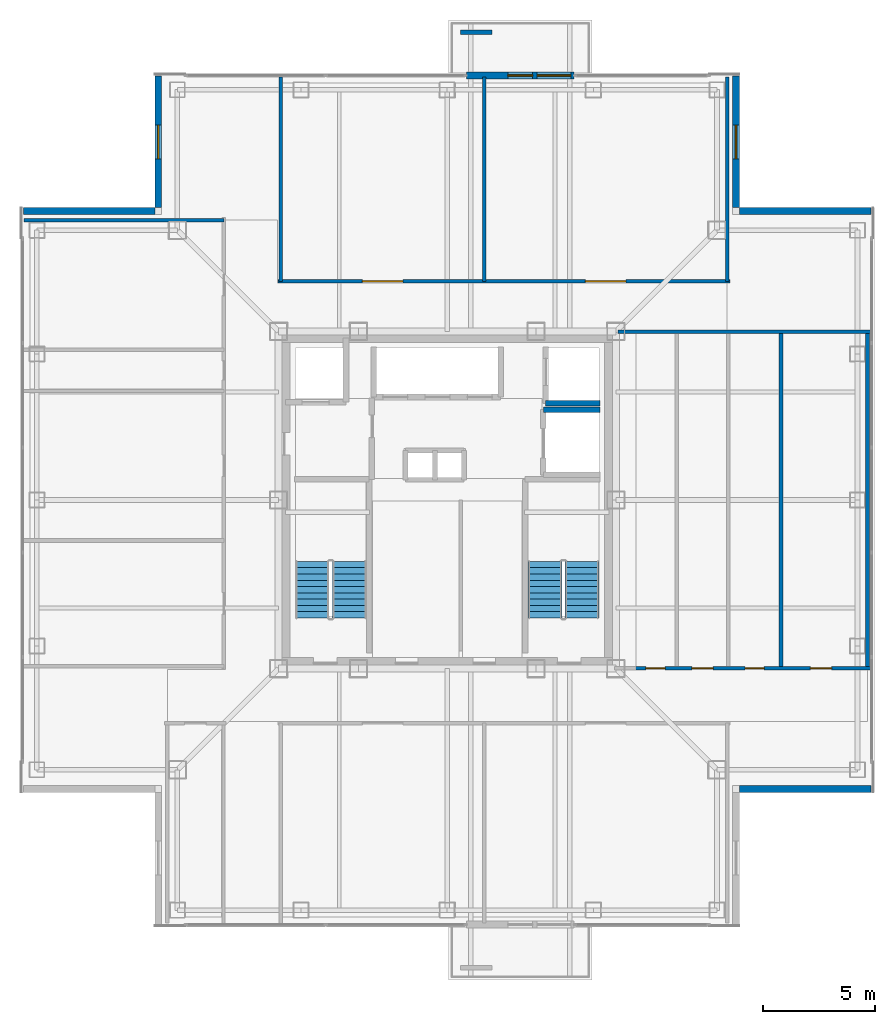
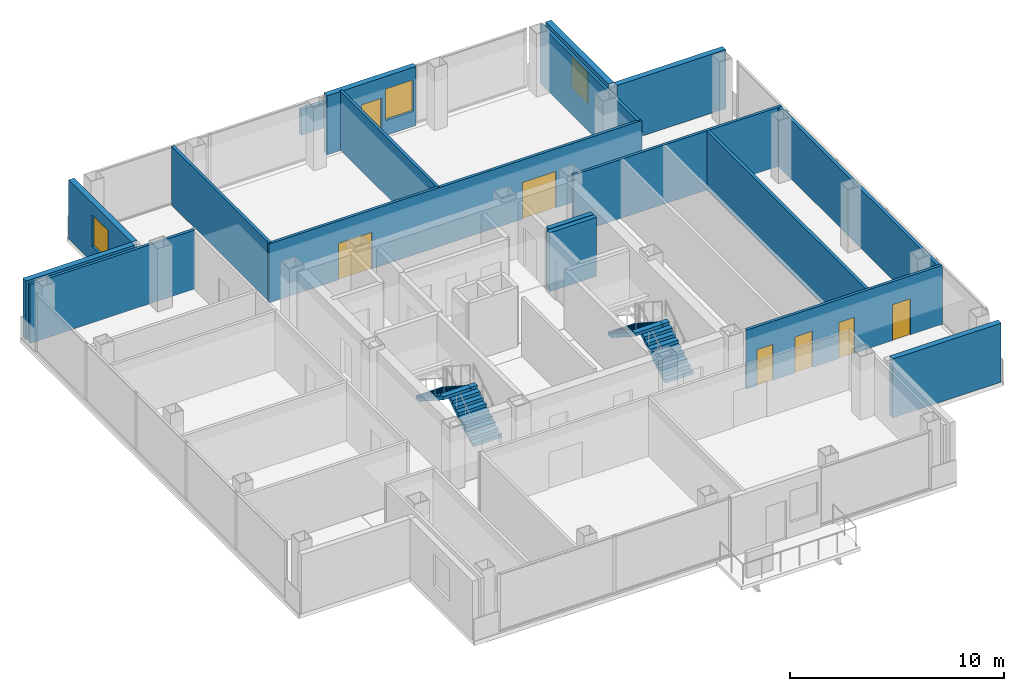
# One storey, part 9 of 15: 18 walls, 7 doors, 4 stair flights, 3 windows, 10 openings, 2 elements without a shape of their own.
"""IFC4 building model written with IfcOpenShell, lengths in metres."""

from ifc_helpers import new_model, si_unit, direction, frame, frame_2d, origin, place, context, subcontext, project, spatial, polyline, rectangle, outline, extrude, material, layer, layer_set, type_object, element, fill, aggregate, save


model = new_model("IFC4")

# Units and contexts
model_context = context("Model", 3, precision=1e-05, world=origin(), true_north=direction((0.0, 1.0)))
body_context = subcontext(model_context, "Body", "Model", "MODEL_VIEW")
ifc_project = project(units=[si_unit("LENGTHUNIT", "METRE"), si_unit("AREAUNIT", "SQUARE_METRE"), si_unit("VOLUMEUNIT", "CUBIC_METRE"), si_unit("PLANEANGLEUNIT", "RADIAN"), si_unit("MASSUNIT", "GRAM", prefix="KILO")], contexts=[model_context])

# Site, building, storey
site_placement = place(None, origin())
site = spatial("IfcSite", under=ifc_project, at=site_placement, CompositionType="ELEMENT")
building_placement = place(site_placement, origin())
building = spatial("IfcBuilding", under=site, at=building_placement, Name="Trevonay Congress Spire", CompositionType="ELEMENT")
storey_placement = place(building_placement, frame((0.0, 0.0, 275.60009765625)))
storey = spatial("IfcBuildingStorey", under=building, at=storey_placement, Name="L72", CompositionType="ELEMENT", Elevation=275.60009765625)

# Wall, openings, doors
ifc_material_1 = material(Name="Concrete C40/50", Category="concrete")
ifc_layer_1 = layer(ifc_material_1, 0.14990234375, Name="Concrete C40/50")
ifc_layer_set_1 = layer_set([ifc_layer_1], Name="Concrete C40/50")
wall_type_1 = type_object("IfcWallType", Name="WAL-CORR-150", PredefinedType="PARTITIONING", material=ifc_layer_set_1)
wall_1_placement = place(storey_placement, frame((-7.52001953125, 9.72998046875, 0.0), z_axis=(0.0, 0.0, 1.0), x_axis=(1.0, 0.0, 0.0)))
wall_1 = element("IfcWall", 1, at=wall_1_placement, inside=storey, type_object=wall_type_1, Name="L72 interior wall WP-L72N-COR", PredefinedType="PARTITIONING", context=body_context, shape_type="SweptSolid", body=[
    extrude(rectangle(XDim=20.090087890625, YDim=0.14990234375, at=frame_2d((10.044921875, 0.0))), origin(), (0.0, 0.0, 1.0), 3.35986328125),
])
opening_1_placement = place(wall_1_placement, frame((3.7451171875, 0.0, 0.0)))
opening_1 = element("IfcOpeningElement", 2, at=opening_1_placement, cuts=wall_1, Name="Opening D09", PredefinedType="OPENING", context=body_context, shape_type="SweptSolid", body=[
    extrude(rectangle(XDim=1.800048828125, YDim=2.080078125, at=frame_2d((0.89990234375, 1.0400390625))), frame((0.0, 0.0849609375, 0.0), z_axis=(0.0, -1.0, 0.0), x_axis=(1.0, 0.0, 0.0)), (0.0, 0.0, 1.0), 0.169921875),
])
opening_2_placement = place(wall_1_placement, frame((13.669921875, 0.0, 0.0)))
opening_2 = element("IfcOpeningElement", 3, at=opening_2_placement, cuts=wall_1, Name="Opening D09", PredefinedType="OPENING", context=body_context, shape_type="SweptSolid", body=[
    extrude(rectangle(XDim=1.800048828125, YDim=2.080078125, at=frame_2d((0.89990234375, 1.0400390625))), frame((0.0, 0.0849609375, 0.0), z_axis=(0.0, -1.0, 0.0), x_axis=(1.0, 0.0, 0.0)), (0.0, 0.0, 1.0), 0.169921875),
])
ifc_material_2 = material(Name="Pale Anodised Aluminium EN AW-6063-T6", Category="aluminium")
door_type_1 = type_object("IfcDoorType", Name="DOR-CONF-DBL", OperationType="DOUBLE_DOOR_SINGLE_SWING", PredefinedType="DOOR", material=ifc_material_2)
door_1_placement = place(opening_1_placement, origin())
door_1 = element("IfcDoor", 4, at=door_1_placement, inside=storey, type_object=door_type_1, Name="L72 Partner Dining Room Door", OperationType="DOUBLE_DOOR_SINGLE_SWING", OverallHeight=2.080078125, OverallWidth=1.800048828125, PredefinedType="DOOR", context=body_context, shape_type="SweptSolid", body=[
    extrude(rectangle(XDim=1.800048828125, YDim=2.080078125, at=frame_2d((0.89990234375, 1.0400390625))), frame((0.0, 0.02490234375, 0.0), z_axis=(0.0, -1.0, 0.0), x_axis=(1.0, 0.0, 0.0)), (0.0, 0.0, 1.0), 0.050048828125),
])
fill(opening_1, door_1)
door_2_placement = place(opening_2_placement, origin())
door_2 = element("IfcDoor", 5, at=door_2_placement, inside=storey, type_object=door_type_1, Name="L72 Finishing Pantry Kitchen Door", OperationType="DOUBLE_DOOR_SINGLE_SWING", OverallHeight=2.080078125, OverallWidth=1.800048828125, PredefinedType="DOOR", context=body_context, shape_type="SweptSolid", body=[
    extrude(rectangle(XDim=1.800048828125, YDim=2.080078125, at=frame_2d((0.89990234375, 1.0400390625))), frame((0.0, 0.02490234375, 0.0), z_axis=(0.0, -1.0, 0.0), x_axis=(1.0, 0.0, 0.0)), (0.0, 0.0, 1.0), 0.050048828125),
])
fill(opening_2, door_2)

wall_2_placement = place(storey_placement, frame((8.280029296875, -7.47998046875, 0.0), z_axis=(0.0, 0.0, 1.0), x_axis=(1.0, 0.0, 0.0)))
wall_2 = element("IfcWall", 6, at=wall_2_placement, inside=storey, type_object=wall_type_1, Name="L72 interior wall WP-L72E-COR", PredefinedType="PARTITIONING", context=body_context, shape_type="SweptSolid", body=[
    extrude(rectangle(XDim=10.5400390625, YDim=0.14990234375, at=frame_2d((5.27001953125, 0.0))), origin(), (0.0, 0.0, 1.0), 3.35986328125),
])
opening_3_placement = place(wall_2_placement, frame((0.56005859375, 0.0, 0.0)))
opening_3 = element("IfcOpeningElement", 7, at=opening_3_placement, cuts=wall_2, Name="Opening D10", PredefinedType="OPENING", context=body_context, shape_type="SweptSolid", body=[
    extrude(rectangle(XDim=0.85009765625, YDim=2.050048828125, at=frame_2d((0.425048828125, 1.02490234375))), frame((0.0, 0.0849609375, 0.0), z_axis=(0.0, -1.0, 0.0), x_axis=(1.0, 0.0, 0.0)), (0.0, 0.0, 1.0), 0.169921875),
])
opening_4_placement = place(wall_2_placement, frame((2.60009765625, 0.0, 0.0)))
opening_4 = element("IfcOpeningElement", 8, at=opening_4_placement, cuts=wall_2, Name="Opening D07", PredefinedType="OPENING", context=body_context, shape_type="SweptSolid", body=[
    extrude(rectangle(XDim=0.949951171875, YDim=2.06005859375, at=frame_2d((0.47509765625, 1.030029296875))), frame((0.0, 0.0849609375, 0.0), z_axis=(0.0, -1.0, 0.0), x_axis=(1.0, 0.0, 0.0)), (0.0, 0.0, 1.0), 0.169921875),
])
opening_5_placement = place(wall_2_placement, frame((4.969970703125, 0.0, 0.0)))
opening_5 = element("IfcOpeningElement", 9, at=opening_5_placement, cuts=wall_2, Name="Opening D10", PredefinedType="OPENING", context=body_context, shape_type="SweptSolid", body=[
    extrude(rectangle(XDim=0.85009765625, YDim=2.050048828125, at=frame_2d((0.425048828125, 1.02490234375))), frame((0.0, 0.0849609375, 0.0), z_axis=(0.0, -1.0, 0.0), x_axis=(1.0, 0.0, 0.0)), (0.0, 0.0, 1.0), 0.169921875),
])
opening_6_placement = place(wall_2_placement, frame((7.8701171875, 0.0, 0.0)))
opening_6 = element("IfcOpeningElement", 10, at=opening_6_placement, cuts=wall_2, Name="Opening D07", PredefinedType="OPENING", context=body_context, shape_type="SweptSolid", body=[
    extrude(rectangle(XDim=0.949951171875, YDim=2.06005859375, at=frame_2d((0.47509765625, 1.030029296875))), frame((0.0, 0.0849609375, 0.0), z_axis=(0.0, -1.0, 0.0), x_axis=(1.0, 0.0, 0.0)), (0.0, 0.0, 1.0), 0.169921875),
])
door_type_2 = type_object("IfcDoorType", Name="DOR-OFFICE-95", OperationType="NOTDEFINED", PredefinedType="DOOR", material=ifc_material_2)
door_3_placement = place(opening_4_placement, origin())
door_3 = element("IfcDoor", 11, at=door_3_placement, inside=storey, type_object=door_type_2, Name="L72 Floor Supplies and Copy Room Door", OperationType="SINGLE_SWING_LEFT", OverallHeight=2.06005859375, OverallWidth=0.949951171875, PredefinedType="DOOR", context=body_context, shape_type="SweptSolid", body=[
    extrude(rectangle(XDim=0.949951171875, YDim=2.06005859375, at=frame_2d((0.47509765625, 1.030029296875))), frame((0.0, 0.02490234375, 0.0), z_axis=(0.0, -1.0, 0.0), x_axis=(1.0, 0.0, 0.0)), (0.0, 0.0, 1.0), 0.050048828125),
])
fill(opening_4, door_3)
door_4_placement = place(opening_6_placement, origin())
door_4 = element("IfcDoor", 12, at=door_4_placement, inside=storey, type_object=door_type_2, Name="L72 Floor Supplies and Copy Room Door", OperationType="SINGLE_SWING_LEFT", OverallHeight=2.06005859375, OverallWidth=0.949951171875, PredefinedType="DOOR", context=body_context, shape_type="SweptSolid", body=[
    extrude(rectangle(XDim=0.949951171875, YDim=2.06005859375, at=frame_2d((0.47509765625, 1.030029296875))), frame((0.0, 0.02490234375, 0.0), z_axis=(0.0, -1.0, 0.0), x_axis=(1.0, 0.0, 0.0)), (0.0, 0.0, 1.0), 0.050048828125),
])
fill(opening_6, door_4)
door_type_3 = type_object("IfcDoorType", Name="DOR-WC-85", OperationType="NOTDEFINED", PredefinedType="DOOR", material=ifc_material_2)
door_5_placement = place(opening_3_placement, origin())
door_5 = element("IfcDoor", 13, at=door_5_placement, inside=storey, type_object=door_type_3, Name="L72 Female Restroom WC Door", OperationType="SINGLE_SWING_RIGHT", OverallHeight=2.050048828125, OverallWidth=0.85009765625, PredefinedType="DOOR", context=body_context, shape_type="SweptSolid", body=[
    extrude(rectangle(XDim=0.85009765625, YDim=2.050048828125, at=frame_2d((0.425048828125, 1.02490234375))), frame((0.0, 0.02490234375, 0.0), z_axis=(0.0, -1.0, 0.0), x_axis=(1.0, 0.0, 0.0)), (0.0, 0.0, 1.0), 0.050048828125),
])
fill(opening_3, door_5)
door_6_placement = place(opening_5_placement, origin())
door_6 = element("IfcDoor", 14, at=door_6_placement, inside=storey, type_object=door_type_3, Name="L72 Male Restroom WC Door", OperationType="SINGLE_SWING_RIGHT", OverallHeight=2.050048828125, OverallWidth=0.85009765625, PredefinedType="DOOR", context=body_context, shape_type="SweptSolid", body=[
    extrude(rectangle(XDim=0.85009765625, YDim=2.050048828125, at=frame_2d((0.425048828125, 1.02490234375))), frame((0.0, 0.02490234375, 0.0), z_axis=(0.0, -1.0, 0.0), x_axis=(1.0, 0.0, 0.0)), (0.0, 0.0, 1.0), 0.050048828125),
])
fill(opening_5, door_6)

# Wall, openings, door, window
ifc_material_3 = material(Name="Precast concrete C40/50", Category="concrete")
ifc_layer_2 = layer(ifc_material_3, 0.300048828125, Name="Precast concrete C40/50")
ifc_layer_set_2 = layer_set([ifc_layer_2], Name="Precast concrete C40/50")
wall_type_2 = type_object("IfcWallType", Name="WAL-EXT-PRECAST-300", PredefinedType="SOLIDWALL", material=ifc_layer_set_2)
wall_3_placement = place(storey_placement, frame((0.85009765625, 18.8798828125, 0.0), z_axis=(0.0, 0.0, 1.0), x_axis=(1.0, 0.0, 0.0)))
wall_3 = element("IfcWall", 15, at=wall_3_placement, inside=storey, type_object=wall_type_2, Name="L72 N glazed balcony portal exterior wall", PredefinedType="SOLIDWALL", context=body_context, shape_type="SweptSolid", body=[
    extrude(rectangle(XDim=4.7998046875, YDim=0.300048828125, at=frame_2d((2.39990234375, 0.0))), origin(), (0.0, 0.0, 1.0), 3.35986328125),
])
opening_7_placement = place(wall_3_placement, frame((1.85009765625, 0.0, 0.0)))
opening_7 = element("IfcOpeningElement", 16, at=opening_7_placement, cuts=wall_3, Name="Opening D03", PredefinedType="OPENING", context=body_context, shape_type="SweptSolid", body=[
    extrude(rectangle(XDim=1.10009765625, YDim=2.199951171875, at=frame_2d((0.550048828125, 1.10009765625))), frame((0.0, 0.16015625, 0.0), z_axis=(0.0, -1.0, 0.0), x_axis=(1.0, 0.0, 0.0)), (0.0, 0.0, 1.0), 0.320068359375),
])
opening_8_placement = place(wall_3_placement, frame((3.14990234375, 0.0, 0.85009765625)))
opening_8 = element("IfcOpeningElement", 17, at=opening_8_placement, cuts=wall_3, Name="Opening WN03", PredefinedType="OPENING", context=body_context, shape_type="SweptSolid", body=[
    extrude(rectangle(XDim=1.5, YDim=1.800048828125, at=frame_2d((0.75, 0.89990234375))), frame((0.0, 0.16015625, 0.0), z_axis=(0.0, -1.0, 0.0), x_axis=(1.0, 0.0, 0.0)), (0.0, 0.0, 1.0), 0.320068359375),
])
door_type_4 = type_object("IfcDoorType", Name="DOR-EXT-BAL-110", OperationType="NOTDEFINED", PredefinedType="DOOR", material=ifc_material_2)
door_7_placement = place(opening_7_placement, origin())
door_7 = element("IfcDoor", 18, at=door_7_placement, inside=storey, type_object=door_type_4, Name="L72 N glazed outdoor terrace and balcony door", OperationType="SINGLE_SWING_RIGHT", OverallHeight=2.199951171875, OverallWidth=1.10009765625, PredefinedType="DOOR", context=body_context, shape_type="SweptSolid", body=[
    extrude(rectangle(XDim=1.10009765625, YDim=2.199951171875, at=frame_2d((0.550048828125, 1.10009765625))), frame((0.0, 0.02490234375, 0.0), z_axis=(0.0, -1.0, 0.0), x_axis=(1.0, 0.0, 0.0)), (0.0, 0.0, 1.0), 0.050048828125),
])
fill(opening_7, door_7)
ifc_material_4 = material(Name="Insulated Low-E Vision Glass IGU", Category="glass")
window_type = type_object("IfcWindowType", Name="WIN-NOTCH-150X180", PartitioningType="SINGLE_PANEL", PredefinedType="WINDOW", material=ifc_material_4)
window_1_placement = place(opening_8_placement, origin())
window_1 = element("IfcWindow", 19, at=window_1_placement, inside=storey, type_object=window_type, Name="L72 N balcony sidelight window R", OverallHeight=1.800048828125, OverallWidth=1.5, PartitioningType="SINGLE_PANEL", PredefinedType="WINDOW", context=body_context, shape_type="SweptSolid", body=[
    extrude(rectangle(XDim=1.5, YDim=1.800048828125, at=frame_2d((0.75, 0.89990234375))), frame((0.0, 0.030029296875, 0.0), z_axis=(0.0, -1.0, 0.0), x_axis=(1.0, 0.0, 0.0)), (0.0, 0.0, 1.0), 0.06005859375),
])
fill(opening_8, window_1)

# Wall
wall_4_placement = place(storey_placement, frame((18.85009765625, -12.85009765625, 0.0), z_axis=(0.0, 0.0, 1.0), x_axis=(-1.0, 0.0, 0.0)))
element("IfcWall", 20, at=wall_4_placement, inside=storey, type_object=wall_type_2, Name="L72 SE re-entrant notch exterior wall 2", PredefinedType="SOLIDWALL", context=body_context, shape_type="SweptSolid", body=[
    extrude(rectangle(XDim=5.85009765625, YDim=0.300048828125, at=frame_2d((2.925048828125, 0.0))), origin(), (0.0, 0.0, 1.0), 3.35986328125),
])

# Wall, opening, window
wall_5_placement = place(storey_placement, frame((12.85009765625, 18.85009765625, 0.0), z_axis=(0.0, 0.0, 1.0), x_axis=(0.0, -1.0, 0.0)))
wall_5 = element("IfcWall", 21, at=wall_5_placement, inside=storey, type_object=wall_type_2, Name="L72 NE re-entrant notch exterior wall 1", PredefinedType="SOLIDWALL", context=body_context, shape_type="SweptSolid", body=[
    extrude(rectangle(XDim=5.85009765625, YDim=0.300048828125, at=frame_2d((2.925048828125, 0.0))), origin(), (0.0, 0.0, 1.0), 3.35986328125),
])
opening_9_placement = place(wall_5_placement, frame((2.175048828125, 0.0, 0.89990234375)))
opening_9 = element("IfcOpeningElement", 22, at=opening_9_placement, cuts=wall_5, Name="Opening WN03", PredefinedType="OPENING", context=body_context, shape_type="SweptSolid", body=[
    extrude(rectangle(XDim=1.5, YDim=1.800048828125, at=frame_2d((0.75, 0.89990234375))), frame((0.0, 0.16015625, 0.0), z_axis=(0.0, -1.0, 0.0), x_axis=(1.0, 0.0, 0.0)), (0.0, 0.0, 1.0), 0.320068359375),
])
window_2_placement = place(opening_9_placement, origin())
window_2 = element("IfcWindow", 23, at=window_2_placement, inside=storey, type_object=window_type, Name="L72 NE corner notch window", OverallHeight=1.800048828125, OverallWidth=1.5, PartitioningType="SINGLE_PANEL", PredefinedType="WINDOW", context=body_context, shape_type="SweptSolid", body=[
    extrude(rectangle(XDim=1.5, YDim=1.800048828125, at=frame_2d((0.75, 0.89990234375))), frame((0.0, 0.030029296875, 0.0), z_axis=(0.0, -1.0, 0.0), x_axis=(1.0, 0.0, 0.0)), (0.0, 0.0, 1.0), 0.06005859375),
])
fill(opening_9, window_2)

# Wall
wall_6_placement = place(storey_placement, frame((18.85009765625, 12.85009765625, 0.0), z_axis=(0.0, 0.0, 1.0), x_axis=(-1.0, 0.0, 0.0)))
element("IfcWall", 24, at=wall_6_placement, inside=storey, type_object=wall_type_2, Name="L72 NE re-entrant notch exterior wall 2", PredefinedType="SOLIDWALL", context=body_context, shape_type="SweptSolid", body=[
    extrude(rectangle(XDim=5.85009765625, YDim=0.300048828125, at=frame_2d((2.925048828125, 0.0))), origin(), (0.0, 0.0, 1.0), 3.35986328125),
])

# Wall, opening, window
wall_7_placement = place(storey_placement, frame((-12.85009765625, 18.85009765625, 0.0), z_axis=(0.0, 0.0, 1.0), x_axis=(0.0, -1.0, 0.0)))
wall_7 = element("IfcWall", 25, at=wall_7_placement, inside=storey, type_object=wall_type_2, Name="L72 NW re-entrant notch exterior wall 1", PredefinedType="SOLIDWALL", context=body_context, shape_type="SweptSolid", body=[
    extrude(rectangle(XDim=5.85009765625, YDim=0.300048828125, at=frame_2d((2.925048828125, 0.0))), origin(), (0.0, 0.0, 1.0), 3.35986328125),
])
opening_10_placement = place(wall_7_placement, frame((2.175048828125, 0.0, 0.89990234375)))
opening_10 = element("IfcOpeningElement", 26, at=opening_10_placement, cuts=wall_7, Name="Opening WN03", PredefinedType="OPENING", context=body_context, shape_type="SweptSolid", body=[
    extrude(rectangle(XDim=1.5, YDim=1.800048828125, at=frame_2d((0.75, 0.89990234375))), frame((0.0, 0.16015625, 0.0), z_axis=(0.0, -1.0, 0.0), x_axis=(1.0, 0.0, 0.0)), (0.0, 0.0, 1.0), 0.320068359375),
])
window_3_placement = place(opening_10_placement, origin())
window_3 = element("IfcWindow", 27, at=window_3_placement, inside=storey, type_object=window_type, Name="L72 NW corner notch window", OverallHeight=1.800048828125, OverallWidth=1.5, PartitioningType="SINGLE_PANEL", PredefinedType="WINDOW", context=body_context, shape_type="SweptSolid", body=[
    extrude(rectangle(XDim=1.5, YDim=1.800048828125, at=frame_2d((0.75, 0.89990234375))), frame((0.0, 0.030029296875, 0.0), z_axis=(0.0, -1.0, 0.0), x_axis=(1.0, 0.0, 0.0)), (0.0, 0.0, 1.0), 0.06005859375),
])
fill(opening_10, window_3)

# Walls
wall_8_placement = place(storey_placement, frame((-18.85009765625, 12.85009765625, 0.0), z_axis=(0.0, 0.0, 1.0), x_axis=(1.0, 0.0, 0.0)))
element("IfcWall", 28, at=wall_8_placement, inside=storey, type_object=wall_type_2, Name="L72 NW re-entrant notch exterior wall 2", PredefinedType="SOLIDWALL", context=body_context, shape_type="SweptSolid", body=[
    extrude(rectangle(XDim=5.85009765625, YDim=0.300048828125, at=frame_2d((2.925048828125, 0.0))), origin(), (0.0, 0.0, 1.0), 3.35986328125),
])
ifc_layer_3 = layer(ifc_material_1, 0.14990234375, Name="Concrete C40/50")
ifc_layer_set_3 = layer_set([ifc_layer_3], Name="Concrete C40/50")
wall_type_3 = type_object("IfcWallType", Name="WAL-PART-150", PredefinedType="PARTITIONING", material=ifc_layer_set_3)
wall_9_placement = place(storey_placement, frame((-18.820068359375, 12.449951171875, 0.0), z_axis=(0.0, 0.0, 1.0), x_axis=(1.0, 0.0, 0.0)))
element("IfcWall", 29, at=wall_9_placement, inside=storey, type_object=wall_type_3, Name="L72 interior wall WP-L72NW-DIV4", PredefinedType="PARTITIONING", context=body_context, shape_type="SweptSolid", body=[
    extrude(rectangle(XDim=8.89013671875, YDim=0.14990234375, at=frame_2d((4.445068359375, 0.0))), origin(), (0.0, 0.0, 1.0), 3.35986328125),
])
for number, where, z_axis, x_axis, name in (
    (30, (-7.39990234375, 9.72998046875, 0.0), (0.0, 0.0, 1.0), (0.0, 1.0, 0.0), "L72 interior wall WP-L72N-DIV1"),
    (31, (1.64990234375, 9.72998046875, 0.0), (0.0, 0.0, 1.0), (0.0, 1.0, 0.0), "L72 interior wall WP-L72N-DIV2"),
    (32, (12.449951171875, 9.72998046875, 0.0), (0.0, 0.0, 1.0), (0.0, 1.0, 0.0), "L72 interior wall WP-L72N-DIV3"),
):
    element("IfcWall", number, at=place(storey_placement, frame(where, z_axis=z_axis, x_axis=x_axis)), inside=storey, type_object=wall_type_3, Name=name, PredefinedType="PARTITIONING", context=body_context, shape_type="SweptSolid", body=[
        extrude(rectangle(XDim=9.090087890625, YDim=0.14990234375, at=frame_2d((4.544921875, 0.0))), origin(), (0.0, 0.0, 1.0), 3.35986328125),
    ])
wall_10_placement = place(storey_placement, frame((7.60009765625, 7.47998046875, 0.0), z_axis=(0.0, 0.0, 1.0), x_axis=(1.0, 0.0, 0.0)))
element("IfcWall", 33, at=wall_10_placement, inside=storey, type_object=wall_type_3, Name="L72 interior wall WP-L72E-NCLS", PredefinedType="PARTITIONING", context=body_context, shape_type="SweptSolid", body=[
    extrude(rectangle(XDim=11.219970703125, YDim=0.14990234375, at=frame_2d((5.60986328125, 0.0))), origin(), (0.0, 0.0, 1.0), 3.35986328125),
])
ifc_layer_4 = layer(ifc_material_1, 0.25, Name="Concrete C40/50")
ifc_layer_set_4 = layer_set([ifc_layer_4], Name="Concrete C40/50")
wall_type_4 = type_object("IfcWallType", Name="WAL-SHAFT-250", PredefinedType="SHEAR", material=ifc_layer_set_4)
wall_11_placement = place(storey_placement, frame((4.3798828125, 4.300048828125, 0.0), z_axis=(0.0, 0.0, 1.0), x_axis=(1.0, 0.0, 0.0)))
element("IfcWall", 34, at=wall_11_placement, inside=storey, type_object=wall_type_4, Name="L72 interior shaft wall WSH-L72-FF2-S", PredefinedType="SHEAR", context=body_context, shape_type="SweptSolid", body=[
    extrude(rectangle(XDim=2.420166015625, YDim=0.25, at=frame_2d((1.2099609375, 0.0))), origin(), (0.0, 0.0, 1.0), 3.35986328125),
])
wall_12_placement = place(storey_placement, frame((4.280029296875, 4.02001953125, 0.0), z_axis=(0.0, 0.0, 1.0), x_axis=(1.0, 0.0, 0.0)))
element("IfcWall", 35, at=wall_12_placement, inside=storey, type_object=wall_type_4, Name="L72 interior shaft wall WSH-L72-SV-N", PredefinedType="SHEAR", context=body_context, shape_type="SweptSolid", body=[
    extrude(rectangle(XDim=2.52001953125, YDim=0.25, at=frame_2d((1.260009765625, 0.0))), origin(), (0.0, 0.0, 1.0), 3.35986328125),
])
ifc_layer_5 = layer(ifc_material_3, 0.199951171875, Name="Precast concrete C40/50")
ifc_layer_set_5 = layer_set([ifc_layer_5], Name="Precast concrete C40/50")
wall_type_5 = type_object("IfcWallType", Name="WAL-TREE-PLANTER-200", PredefinedType="PARAPET", material=ifc_layer_set_5)
wall_13_placement = place(storey_placement, frame((0.60009765625, 20.800048828125, 0.0), z_axis=(0.0, 0.0, 1.0), x_axis=(1.0, 0.0, 0.0)))
element("IfcWall", 36, at=wall_13_placement, inside=storey, type_object=wall_type_5, Name="L72 N cantilevered balcony tree planter box", PredefinedType="PARAPET", context=body_context, shape_type="SweptSolid", body=[
    extrude(rectangle(XDim=1.39990234375, YDim=0.199951171875, at=frame_2d((0.699951171875, 0.0))), origin(), (0.0, 0.0, 1.0), 1.449951171875),
])
ifc_layer_6 = layer(ifc_material_1, 0.1650390625, Name="Concrete C40/50")
ifc_layer_set_6 = layer_set([ifc_layer_6], Name="Concrete C40/50")
wall_type_6 = type_object("IfcWallType", Name="WAL-WET-165", PredefinedType="PLUMBINGWALL", material=ifc_layer_set_6)
for number, where, z_axis, x_axis, name in (
    (37, (14.85009765625, -7.47998046875, 0.0), (0.0, 0.0, 1.0), (0.0, 1.0, 0.0), "L72 interior wall WP-L72E-WCS2"),
    (38, (18.699951171875, -7.47998046875, 0.0), (0.0, 0.0, 1.0), (0.0, 1.0, 0.0), "L72 interior wall WP-L72E-DIV2"),
):
    element("IfcWall", number, at=place(storey_placement, frame(where, z_axis=z_axis, x_axis=x_axis)), inside=storey, type_object=wall_type_6, Name=name, PredefinedType="PLUMBINGWALL", context=body_context, shape_type="SweptSolid", body=[
        extrude(rectangle(XDim=14.89990234375, YDim=0.1650390625, at=frame_2d((7.449951171875, 0.0))), origin(), (0.0, 0.0, 1.0), 3.35986328125),
    ])

# Stair, stair flights
stair_type_1 = type_object("IfcStairType", Name="STR-ST-1", PredefinedType="HALF_TURN_STAIR", material=ifc_material_1)
stair_1_placement = place(storey_placement, origin())
stair_1 = element("IfcStair", 39, at=stair_1_placement, inside=storey, type_object=stair_type_1, Name="L72 Protected Exit Stair ST-1", PredefinedType="HALF_TURN_STAIR")
stair_flight_type_1 = type_object("IfcStairFlightType", Name="SFL-ST-1", PredefinedType="STRAIGHT", material=ifc_material_1)
stair_flight_1_placement = place(storey_placement, frame((-4.35009765625, -5.25, 0.0), z_axis=(0.0, 0.0, 1.0), x_axis=(0.0, 1.0, 0.0)))
stair_flight_1 = element("IfcStairFlight", 40, at=stair_flight_1_placement, type_object=stair_flight_type_1, Name="ST-1 flight 1", NumberOfRisers=10, NumberOfTreads=9, PredefinedType="STRAIGHT", RiserHeight=0.18, TreadLength=0.28, context=body_context, shape_type="SweptSolid", body=[
    extrude(outline(polyline([(0.0, 0.0), (0.0, 0.179931640625), (0.280029296875, 0.179931640625), (0.280029296875, 0.360107421875), (0.56005859375, 0.360107421875), (0.56005859375, 0.5400390625), (0.840087890625, 0.5400390625), (0.840087890625, 0.719970703125), (1.1201171875, 0.719970703125), (1.1201171875, 0.89990234375), (1.39990234375, 0.89990234375), (1.39990234375, 1.080078125), (1.679931640625, 1.080078125), (1.679931640625, 1.260009765625), (1.9599609375, 1.260009765625), (1.9599609375, 1.43994140625), (2.239990234375, 1.43994140625), (2.239990234375, 1.6201171875), (2.52001953125, 1.6201171875), (2.52001953125, 1.800048828125), (2.52001953125, 1.44189453125), (0.277099609375, 0.0), (0.0, 0.0)])), frame((0.0, 0.75, 0.0), z_axis=(0.0, -1.0, 0.0), x_axis=(1.0, 0.0, 0.0)), (0.0, 0.0, 1.0), 1.5),
])
stair_flight_2_placement = place(storey_placement, frame((-6.0, -2.72998046875, 1.7998046875), z_axis=(0.0, 0.0, 1.0), x_axis=(0.0, -1.0, 0.0)))
stair_flight_2 = element("IfcStairFlight", 41, at=stair_flight_2_placement, type_object=stair_flight_type_1, Name="ST-1 flight 2", NumberOfRisers=10, NumberOfTreads=9, PredefinedType="STRAIGHT", RiserHeight=0.18, TreadLength=0.28, context=body_context, shape_type="SweptSolid", body=[
    extrude(outline(polyline([(0.0, 0.0), (0.0, 0.179931640625), (0.280029296875, 0.179931640625), (0.280029296875, 0.360107421875), (0.56005859375, 0.360107421875), (0.56005859375, 0.5400390625), (0.840087890625, 0.5400390625), (0.840087890625, 0.719970703125), (1.1201171875, 0.719970703125), (1.1201171875, 0.89990234375), (1.39990234375, 0.89990234375), (1.39990234375, 1.080078125), (1.679931640625, 1.080078125), (1.679931640625, 1.260009765625), (1.9599609375, 1.260009765625), (1.9599609375, 1.43994140625), (2.239990234375, 1.43994140625), (2.239990234375, 1.6201171875), (2.52001953125, 1.6201171875), (2.52001953125, 1.800048828125), (2.52001953125, 1.44189453125), (0.277099609375, 0.0), (0.0, 0.0)])), frame((0.0, 0.75, 0.0), z_axis=(0.0, -1.0, 0.0), x_axis=(1.0, 0.0, 0.0)), (0.0, 0.0, 1.0), 1.5),
])
aggregate(stair_1, [stair_flight_1, stair_flight_2])

stair_type_2 = type_object("IfcStairType", Name="STR-ST-2", PredefinedType="HALF_TURN_STAIR", material=ifc_material_1)
stair_2_placement = place(storey_placement, origin())
stair_2 = element("IfcStair", 42, at=stair_2_placement, inside=storey, type_object=stair_type_2, Name="L72 Protected Exit Stair ST-2", PredefinedType="HALF_TURN_STAIR")
stair_flight_type_2 = type_object("IfcStairFlightType", Name="SFL-ST-2", PredefinedType="STRAIGHT", material=ifc_material_1)
stair_flight_3_placement = place(storey_placement, frame((6.0, -5.25, 0.0), z_axis=(0.0, 0.0, 1.0), x_axis=(0.0, 1.0, 0.0)))
stair_flight_3 = element("IfcStairFlight", 43, at=stair_flight_3_placement, type_object=stair_flight_type_2, Name="ST-2 flight 1", NumberOfRisers=10, NumberOfTreads=9, PredefinedType="STRAIGHT", RiserHeight=0.18, TreadLength=0.28, context=body_context, shape_type="SweptSolid", body=[
    extrude(outline(polyline([(0.0, 0.0), (0.0, 0.179931640625), (0.280029296875, 0.179931640625), (0.280029296875, 0.360107421875), (0.56005859375, 0.360107421875), (0.56005859375, 0.5400390625), (0.840087890625, 0.5400390625), (0.840087890625, 0.719970703125), (1.1201171875, 0.719970703125), (1.1201171875, 0.89990234375), (1.39990234375, 0.89990234375), (1.39990234375, 1.080078125), (1.679931640625, 1.080078125), (1.679931640625, 1.260009765625), (1.9599609375, 1.260009765625), (1.9599609375, 1.43994140625), (2.239990234375, 1.43994140625), (2.239990234375, 1.6201171875), (2.52001953125, 1.6201171875), (2.52001953125, 1.800048828125), (2.52001953125, 1.44189453125), (0.277099609375, 0.0), (0.0, 0.0)])), frame((0.0, 0.75, 0.0), z_axis=(0.0, -1.0, 0.0), x_axis=(1.0, 0.0, 0.0)), (0.0, 0.0, 1.0), 1.5),
])
stair_flight_4_placement = place(storey_placement, frame((4.35009765625, -2.72998046875, 1.7998046875), z_axis=(0.0, 0.0, 1.0), x_axis=(0.0, -1.0, 0.0)))
stair_flight_4 = element("IfcStairFlight", 44, at=stair_flight_4_placement, type_object=stair_flight_type_2, Name="ST-2 flight 2", NumberOfRisers=10, NumberOfTreads=9, PredefinedType="STRAIGHT", RiserHeight=0.18, TreadLength=0.28, context=body_context, shape_type="SweptSolid", body=[
    extrude(outline(polyline([(0.0, 0.0), (0.0, 0.179931640625), (0.280029296875, 0.179931640625), (0.280029296875, 0.360107421875), (0.56005859375, 0.360107421875), (0.56005859375, 0.5400390625), (0.840087890625, 0.5400390625), (0.840087890625, 0.719970703125), (1.1201171875, 0.719970703125), (1.1201171875, 0.89990234375), (1.39990234375, 0.89990234375), (1.39990234375, 1.080078125), (1.679931640625, 1.080078125), (1.679931640625, 1.260009765625), (1.9599609375, 1.260009765625), (1.9599609375, 1.43994140625), (2.239990234375, 1.43994140625), (2.239990234375, 1.6201171875), (2.52001953125, 1.6201171875), (2.52001953125, 1.800048828125), (2.52001953125, 1.44189453125), (0.277099609375, 0.0), (0.0, 0.0)])), frame((0.0, 0.75, 0.0), z_axis=(0.0, -1.0, 0.0), x_axis=(1.0, 0.0, 0.0)), (0.0, 0.0, 1.0), 1.5),
])
aggregate(stair_2, [stair_flight_3, stair_flight_4])

save(model, "model.ifc")
